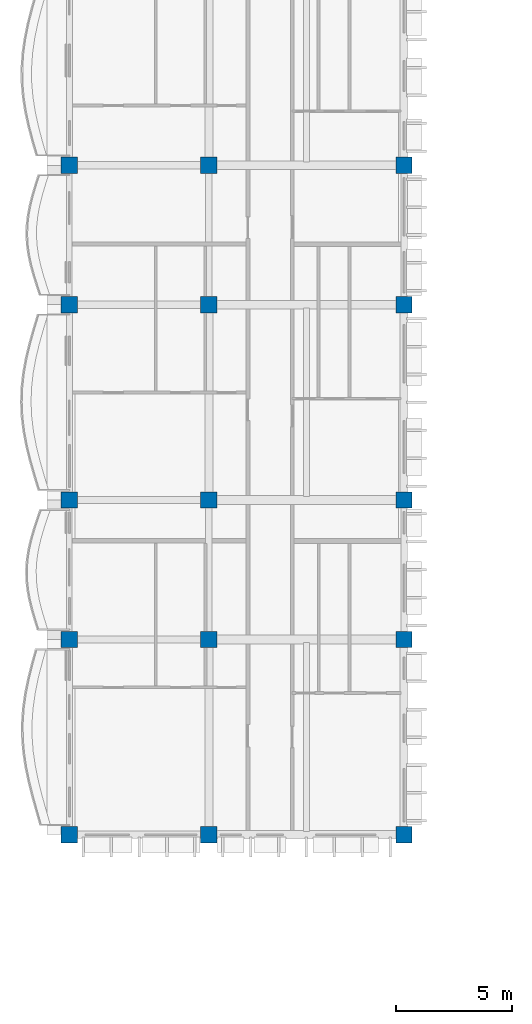
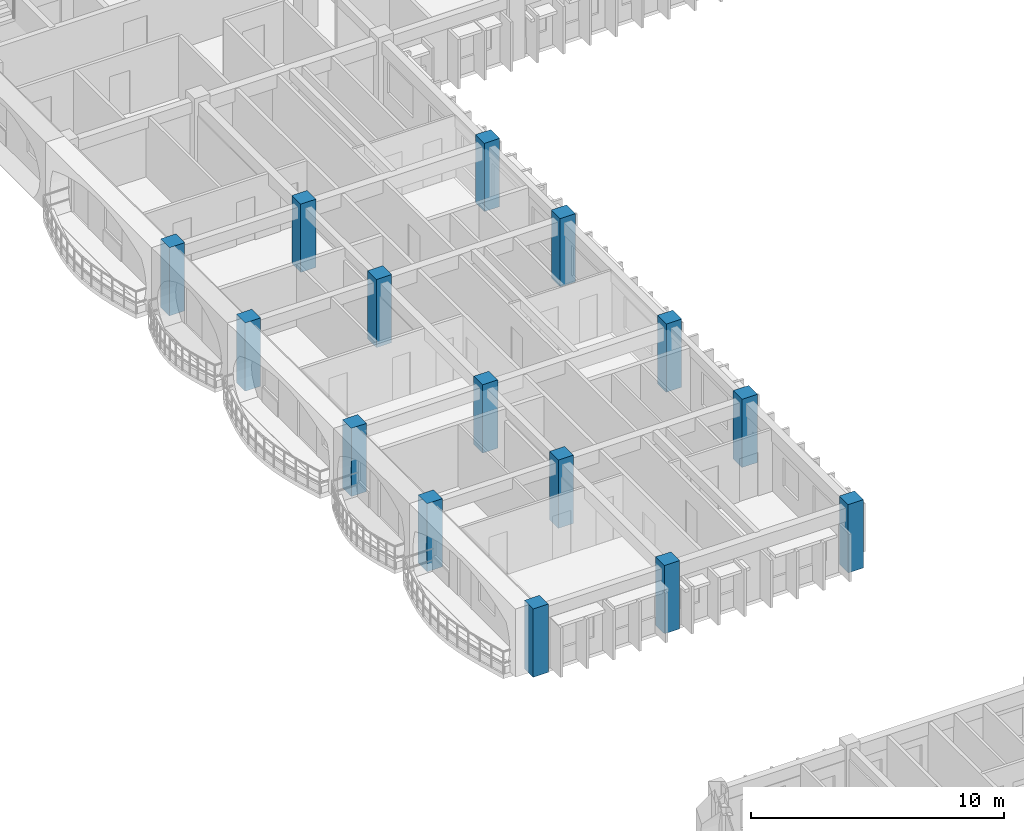
# One storey, part 6 of 101: 15 columns.
"""IFC4 building model written with IfcOpenShell, lengths in metres."""

from ifc_helpers import new_model, si_unit, direction, frame, origin, origin_2d, place, context, subcontext, project, spatial, rectangle, extrude, material, material_profile, profile_set, type_object, element, save


model = new_model("IFC4")

# Units and contexts
model_context = context("Model", 3, precision=1e-05, world=origin(), true_north=direction((0.0, 1.0)))
body_context = subcontext(model_context, "Body", "Model", "MODEL_VIEW")
ifc_project = project(units=[si_unit("LENGTHUNIT", "METRE"), si_unit("AREAUNIT", "SQUARE_METRE"), si_unit("VOLUMEUNIT", "CUBIC_METRE"), si_unit("PLANEANGLEUNIT", "RADIAN"), si_unit("MASSUNIT", "GRAM", prefix="KILO"), si_unit("THERMODYNAMICTEMPERATUREUNIT", "KELVIN")], contexts=[model_context])

# Site, building, storey
site_placement = place(None, origin())
site = spatial("IfcSite", under=ifc_project, at=site_placement, CompositionType="ELEMENT")
building_placement = place(site_placement, origin())
building = spatial("IfcBuilding", under=site, at=building_placement, Name="Thalorik Housing Commons", CompositionType="ELEMENT")
storey_placement = place(building_placement, frame((0.0, 0.0, 8.10009765625)))
storey = spatial("IfcBuildingStorey", under=building, at=storey_placement, Name="L02", CompositionType="ELEMENT", Elevation=8.10009765625)

# Columns
ifc_material = material(Name="Precast concrete C40/50", Category="concrete")
ifc_material_profile = material_profile(ifc_material, rectangle(XDim=0.699951171875, YDim=0.699951171875, at=origin_2d()), Name="PC 700x700", Category="concrete")
ifc_profile_set = profile_set([ifc_material_profile], Name="Precast concrete C40/50")
column_type = type_object("IfcColumnType", Name="STR-COL-PC700", PredefinedType="COLUMN", material=ifc_profile_set)
for number, where, z_axis, x_axis, name in (
    (1, (8.39990234375, 72.0, 0.0), (0.0, 0.0, 1.0), (1.0, 0.0, 0.0), "L02 Column C-700"),
    (2, (8.39990234375, 80.39990234375, 0.0), (0.0, 0.0, 1.0), (1.0, 0.0, 0.0), "L02 Column C-700"),
    (3, (8.39990234375, 86.39990234375, 0.0), (0.0, 0.0, 1.0), (1.0, 0.0, 0.0), "L02 Column C-700"),
    (4, (8.39990234375, 94.800048828125, 0.0), (0.0, 0.0, 1.0), (1.0, 0.0, 0.0), "L02 Column C-700"),
    (5, (8.39990234375, 100.800048828125, 0.0), (0.0, 0.0, 1.0), (1.0, 0.0, 0.0), "L02 Column C-700"),
    (6, (14.39990234375, 72.0, 0.0), (0.0, 0.0, 1.0), (1.0, 0.0, 0.0), "L02 Column C-700"),
    (7, (14.39990234375, 80.39990234375, 0.0), (0.0, 0.0, 1.0), (1.0, 0.0, 0.0), "L02 Column C-700"),
    (8, (14.39990234375, 86.39990234375, 0.0), (0.0, 0.0, 1.0), (1.0, 0.0, 0.0), "L02 Column C-700"),
    (9, (14.39990234375, 94.800048828125, 0.0), (0.0, 0.0, 1.0), (1.0, 0.0, 0.0), "L02 Column C-700"),
    (10, (14.39990234375, 100.800048828125, 0.0), (0.0, 0.0, 1.0), (1.0, 0.0, 0.0), "L02 Column C-700"),
    (11, (22.800048828125, 72.0, 0.0), (0.0, 0.0, 1.0), (1.0, 0.0, 0.0), "L02 Column C-700"),
    (12, (22.800048828125, 80.39990234375, 0.0), (0.0, 0.0, 1.0), (1.0, 0.0, 0.0), "L02 Column C-700"),
    (13, (22.800048828125, 86.39990234375, 0.0), (0.0, 0.0, 1.0), (1.0, 0.0, 0.0), "L02 Column C-700"),
    (14, (22.800048828125, 94.800048828125, 0.0), (0.0, 0.0, 1.0), (1.0, 0.0, 0.0), "L02 Column C-700"),
    (15, (22.800048828125, 100.800048828125, 0.0), (0.0, 0.0, 1.0), (1.0, 0.0, 0.0), "L02 Column C-700"),
):
    element("IfcColumn", number, at=place(storey_placement, frame(where, z_axis=z_axis, x_axis=x_axis)), inside=storey, type_object=column_type, Name=name, PredefinedType="COLUMN", context=body_context, shape_type="SweptSolid", body=[
        extrude(rectangle(XDim=0.699951171875, YDim=0.699951171875, at=origin_2d()), origin(), (0.0, 0.0, 1.0), 3.2998046875),
    ])

save(model, "model.ifc")
